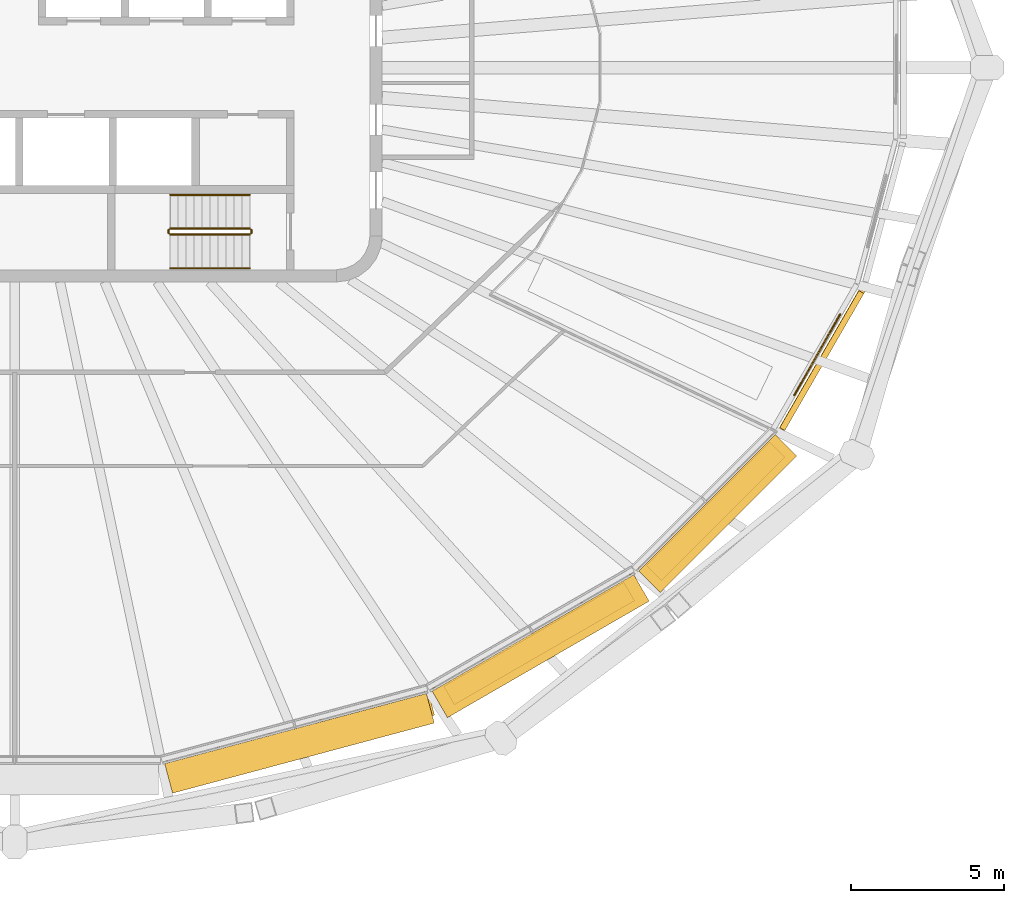
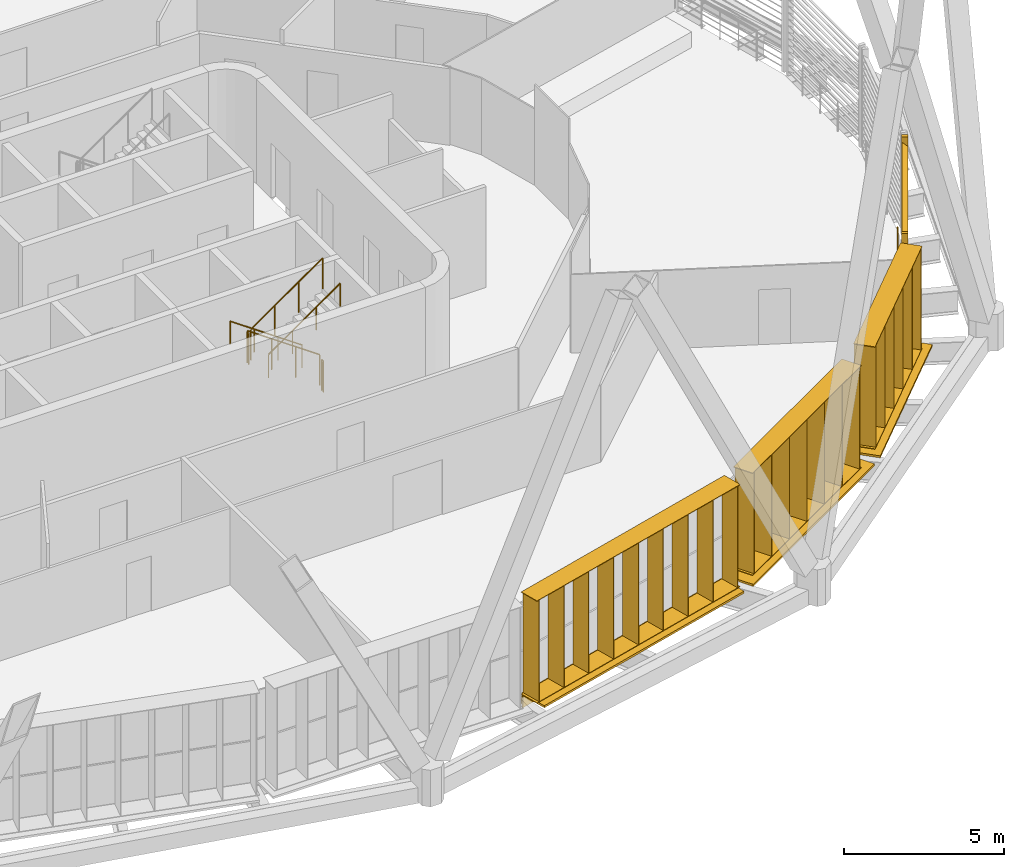
# One storey, part 20 of 22: 7 railings, 7 shading devices.
"""IFC4 building model written with IfcOpenShell, lengths in metres."""

from ifc_helpers import new_model, si_unit, direction, frame, origin, origin_2d, place, context, subcontext, project, spatial, rectangle, circle, extrude, material, type_object, element, save


model = new_model("IFC4")

# Units and contexts
model_context = context("Model", 3, precision=1e-05, world=origin(), true_north=direction((0.0, 1.0)))
body_context = subcontext(model_context, "Body", "Model", "MODEL_VIEW")
ifc_project = project(units=[si_unit("LENGTHUNIT", "METRE"), si_unit("AREAUNIT", "SQUARE_METRE"), si_unit("VOLUMEUNIT", "CUBIC_METRE"), si_unit("PLANEANGLEUNIT", "RADIAN"), si_unit("MASSUNIT", "GRAM", prefix="KILO")], contexts=[model_context])

# Site, building, storey
site_placement = place(None, origin())
site = spatial("IfcSite", under=ifc_project, at=site_placement, CompositionType="ELEMENT")
building_placement = place(site_placement, origin())
building = spatial("IfcBuilding", under=site, at=building_placement, Name="Sahrelin Media Tower", CompositionType="ELEMENT")
storey_placement = place(building_placement, frame((0.0, 0.0, 283.0)))
storey = spatial("IfcBuildingStorey", under=building, at=storey_placement, Name="L62", CompositionType="ELEMENT", Elevation=283.0)

# Shading devices
ifc_material_1 = material(Name="Champagne anodised aluminium 6063-T6", Category="aluminium")
shading_device_type_1 = type_object("IfcShadingDeviceType", Name="Fin cassette", PredefinedType="USERDEFINED", material=ifc_material_1)
placement_1 = place(storey_placement, frame((9.163330078125, -21.56640625, 0.0), z_axis=(0.0, 0.0, 1.0), x_axis=(-0.965928857556, -0.258807731996, 0.0)))
element("IfcShadingDevice", 1, at=placement_1, inside=storey, type_object=shading_device_type_1, Name="L62:FIN:L62-19", ObjectType="FIN", PredefinedType="USERDEFINED", context=body_context, shape_type="SweptSolid", body=[
    extrude(rectangle(XDim=9.0, YDim=0.699951171875, at=origin_2d()), frame((0.0, 0.419921875, 0.0)), (0.0, 0.0, 1.0), 0.02001953125),
    extrude(rectangle(XDim=9.0, YDim=0.699951171875, at=origin_2d()), frame((0.0, 0.419921875, 3.89990234375)), (0.0, 0.0, 1.0), 0.02001953125),
    extrude(rectangle(XDim=0.02001953125, YDim=0.699951171875, at=origin_2d()), frame((-4.39990234375, 0.419921875, 0.010009765625), z_axis=(0.0, 0.0, 1.0), x_axis=(1.0, 0.0, 0.0)), (0.0, 0.0, 1.0), 3.89990234375),
    extrude(rectangle(XDim=0.02001953125, YDim=0.699951171875, at=origin_2d()), frame((-3.300048828125, 0.419921875, 0.010009765625), z_axis=(0.0, 0.0, 1.0), x_axis=(1.0, 0.0, 0.0)), (0.0, 0.0, 1.0), 3.89990234375),
    extrude(rectangle(XDim=0.02001953125, YDim=0.699951171875, at=origin_2d()), frame((-2.199951171875, 0.419921875, 0.010009765625), z_axis=(0.0, 0.0, 1.0), x_axis=(1.0, 0.0, 0.0)), (0.0, 0.0, 1.0), 3.89990234375),
    extrude(rectangle(XDim=0.02001953125, YDim=0.699951171875, at=origin_2d()), frame((-1.10009765625, 0.419921875, 0.010009765625), z_axis=(0.0, 0.0, 1.0), x_axis=(1.0, 0.0, 0.0)), (0.0, 0.0, 1.0), 3.89990234375),
    extrude(rectangle(XDim=0.02001953125, YDim=0.699951171875, at=origin_2d()), frame((0.0, 0.419921875, 0.010009765625), z_axis=(0.0, 0.0, 1.0), x_axis=(1.0, 0.0, 0.0)), (0.0, 0.0, 1.0), 3.89990234375),
    extrude(rectangle(XDim=0.02001953125, YDim=0.699951171875, at=origin_2d()), frame((1.10009765625, 0.419921875, 0.010009765625), z_axis=(0.0, 0.0, 1.0), x_axis=(1.0, 0.0, 0.0)), (0.0, 0.0, 1.0), 3.89990234375),
    extrude(rectangle(XDim=0.02001953125, YDim=0.699951171875, at=origin_2d()), frame((2.199951171875, 0.419921875, 0.010009765625), z_axis=(0.0, 0.0, 1.0), x_axis=(1.0, 0.0, 0.0)), (0.0, 0.0, 1.0), 3.89990234375),
    extrude(rectangle(XDim=0.02001953125, YDim=0.699951171875, at=origin_2d()), frame((3.300048828125, 0.419921875, 0.010009765625), z_axis=(0.0, 0.0, 1.0), x_axis=(1.0, 0.0, 0.0)), (0.0, 0.0, 1.0), 3.89990234375),
    extrude(rectangle(XDim=0.02001953125, YDim=0.699951171875, at=origin_2d()), frame((4.39990234375, 0.419921875, 0.010009765625), z_axis=(0.0, 0.0, 1.0), x_axis=(1.0, 0.0, 0.0)), (0.0, 0.0, 1.0), 3.89990234375),
])
placement_2 = place(storey_placement, frame((16.9150390625, -18.443603515625, 0.0), z_axis=(0.0, 0.0, 1.0), x_axis=(-0.866019052629, -0.500011000363, 0.0)))
element("IfcShadingDevice", 2, at=placement_2, inside=storey, type_object=shading_device_type_1, Name="L62:FIN:L62-20", ObjectType="FIN", PredefinedType="USERDEFINED", context=body_context, shape_type="SweptSolid", body=[
    extrude(rectangle(XDim=6.800048828125, YDim=0.699951171875, at=origin_2d()), frame((0.0, 0.419921875, 0.0)), (0.0, 0.0, 1.0), 0.02001953125),
    extrude(rectangle(XDim=6.800048828125, YDim=0.699951171875, at=origin_2d()), frame((0.0, 0.419921875, 3.89990234375)), (0.0, 0.0, 1.0), 0.02001953125),
    extrude(rectangle(XDim=0.02001953125, YDim=0.699951171875, at=origin_2d()), frame((-3.300048828125, 0.419921875, 0.010009765625), z_axis=(0.0, 0.0, 1.0), x_axis=(1.0, 0.0, 0.0)), (0.0, 0.0, 1.0), 3.89990234375),
    extrude(rectangle(XDim=0.02001953125, YDim=0.699951171875, at=origin_2d()), frame((-2.199951171875, 0.419921875, 0.010009765625), z_axis=(0.0, 0.0, 1.0), x_axis=(1.0, 0.0, 0.0)), (0.0, 0.0, 1.0), 3.89990234375),
    extrude(rectangle(XDim=0.02001953125, YDim=0.699951171875, at=origin_2d()), frame((-1.10009765625, 0.419921875, 0.010009765625), z_axis=(0.0, 0.0, 1.0), x_axis=(1.0, 0.0, 0.0)), (0.0, 0.0, 1.0), 3.89990234375),
    extrude(rectangle(XDim=0.02001953125, YDim=0.699951171875, at=origin_2d()), frame((0.0, 0.419921875, 0.010009765625), z_axis=(0.0, 0.0, 1.0), x_axis=(1.0, 0.0, 0.0)), (0.0, 0.0, 1.0), 3.89990234375),
    extrude(rectangle(XDim=0.02001953125, YDim=0.699951171875, at=origin_2d()), frame((1.10009765625, 0.419921875, 0.010009765625), z_axis=(0.0, 0.0, 1.0), x_axis=(1.0, 0.0, 0.0)), (0.0, 0.0, 1.0), 3.89990234375),
    extrude(rectangle(XDim=0.02001953125, YDim=0.699951171875, at=origin_2d()), frame((2.199951171875, 0.419921875, 0.010009765625), z_axis=(0.0, 0.0, 1.0), x_axis=(1.0, 0.0, 0.0)), (0.0, 0.0, 1.0), 3.89990234375),
    extrude(rectangle(XDim=0.02001953125, YDim=0.699951171875, at=origin_2d()), frame((3.300048828125, 0.419921875, 0.010009765625), z_axis=(0.0, 0.0, 1.0), x_axis=(1.0, 0.0, 0.0)), (0.0, 0.0, 1.0), 3.89990234375),
])
placement_3 = place(storey_placement, frame((22.593017578125, -14.1943359375, 0.0), z_axis=(0.0, 0.0, 1.0), x_axis=(-0.707106781187, -0.707106781187, 0.0)))
element("IfcShadingDevice", 3, at=placement_3, inside=storey, type_object=shading_device_type_1, Name="L62:FIN:L62-21", ObjectType="FIN", PredefinedType="USERDEFINED", context=body_context, shape_type="SweptSolid", body=[
    extrude(rectangle(XDim=5.699951171875, YDim=0.699951171875, at=origin_2d()), frame((0.0, 0.419921875, 0.0)), (0.0, 0.0, 1.0), 0.02001953125),
    extrude(rectangle(XDim=5.699951171875, YDim=0.699951171875, at=origin_2d()), frame((0.0, 0.419921875, 3.89990234375)), (0.0, 0.0, 1.0), 0.02001953125),
    extrude(rectangle(XDim=0.02001953125, YDim=0.699951171875, at=origin_2d()), frame((-2.75, 0.419921875, 0.010009765625), z_axis=(0.0, 0.0, 1.0), x_axis=(1.0, 0.0, 0.0)), (0.0, 0.0, 1.0), 3.89990234375),
    extrude(rectangle(XDim=0.02001953125, YDim=0.699951171875, at=origin_2d()), frame((-1.64990234375, 0.419921875, 0.010009765625), z_axis=(0.0, 0.0, 1.0), x_axis=(1.0, 0.0, 0.0)), (0.0, 0.0, 1.0), 3.89990234375),
    extrude(rectangle(XDim=0.02001953125, YDim=0.699951171875, at=origin_2d()), frame((-0.550048828125, 0.419921875, 0.010009765625), z_axis=(0.0, 0.0, 1.0), x_axis=(1.0, 0.0, 0.0)), (0.0, 0.0, 1.0), 3.89990234375),
    extrude(rectangle(XDim=0.02001953125, YDim=0.699951171875, at=origin_2d()), frame((0.550048828125, 0.419921875, 0.010009765625), z_axis=(0.0, 0.0, 1.0), x_axis=(1.0, 0.0, 0.0)), (0.0, 0.0, 1.0), 3.89990234375),
    extrude(rectangle(XDim=0.02001953125, YDim=0.699951171875, at=origin_2d()), frame((1.64990234375, 0.419921875, 0.010009765625), z_axis=(0.0, 0.0, 1.0), x_axis=(1.0, 0.0, 0.0)), (0.0, 0.0, 1.0), 3.89990234375),
    extrude(rectangle(XDim=0.02001953125, YDim=0.699951171875, at=origin_2d()), frame((2.75, 0.419921875, 0.010009765625), z_axis=(0.0, 0.0, 1.0), x_axis=(1.0, 0.0, 0.0)), (0.0, 0.0, 1.0), 3.89990234375),
])
shading_device_type_2 = type_object("IfcShadingDeviceType", Name="Garden screen", PredefinedType="USERDEFINED", material=ifc_material_1)
shading_device_4_placement = place(storey_placement, frame((26.26708984375, -9.512451171875, 0.0), z_axis=(0.0, 0.0, 1.0), x_axis=(-0.500011000363, -0.866019052629, 0.0)))
element("IfcShadingDevice", 4, at=shading_device_4_placement, inside=storey, type_object=shading_device_type_2, Name="L62:SCREEN:L62-22", ObjectType="SCREEN", PredefinedType="USERDEFINED", context=body_context, shape_type="SweptSolid", body=[
    extrude(rectangle(XDim=0.1201171875, YDim=0.199951171875, at=origin_2d()), frame((2.6435546875, 0.10009765625, 0.050048828125), z_axis=(0.0, 0.0, 1.0), x_axis=(1.0, 0.0, 0.0)), (0.0, 0.0, 1.0), 3.89990234375),
    extrude(rectangle(XDim=0.1201171875, YDim=0.199951171875, at=origin_2d()), frame((-2.6435546875, 0.10009765625, 0.050048828125), z_axis=(0.0, 0.0, 1.0), x_axis=(1.0, 0.0, 0.0)), (0.0, 0.0, 1.0), 3.89990234375),
    extrude(rectangle(XDim=0.25, YDim=0.02001953125, at=origin_2d()), frame((2.58349609375, 0.10009765625, 0.14990234375), z_axis=(-1.0, 0.0, 0.0), x_axis=(0.0, -0.766044443119, 0.642787609687)), (0.0, 0.0, 1.0), 5.1669921875),
    extrude(rectangle(XDim=0.25, YDim=0.02001953125, at=origin_2d()), frame((2.58349609375, 0.10009765625, 0.39990234375), z_axis=(-1.0, 0.0, 0.0), x_axis=(0.0, -0.766044443119, 0.642787609687)), (0.0, 0.0, 1.0), 5.1669921875),
    extrude(rectangle(XDim=0.25, YDim=0.02001953125, at=origin_2d()), frame((2.58349609375, 0.10009765625, 0.64990234375), z_axis=(-1.0, 0.0, 0.0), x_axis=(0.0, -0.766044443119, 0.642787609687)), (0.0, 0.0, 1.0), 5.1669921875),
    extrude(rectangle(XDim=0.25, YDim=0.02001953125, at=origin_2d()), frame((2.58349609375, 0.10009765625, 0.89990234375), z_axis=(-1.0, 0.0, 0.0), x_axis=(0.0, -0.766044443119, 0.642787609687)), (0.0, 0.0, 1.0), 5.1669921875),
    extrude(rectangle(XDim=0.25, YDim=0.02001953125, at=origin_2d()), frame((2.58349609375, 0.10009765625, 1.14990234375), z_axis=(-1.0, 0.0, 0.0), x_axis=(0.0, -0.766044443119, 0.642787609687)), (0.0, 0.0, 1.0), 5.1669921875),
    extrude(rectangle(XDim=0.25, YDim=0.02001953125, at=origin_2d()), frame((2.58349609375, 0.10009765625, 1.39990234375), z_axis=(-1.0, 0.0, 0.0), x_axis=(0.0, -0.766044443119, 0.642787609687)), (0.0, 0.0, 1.0), 5.1669921875),
    extrude(rectangle(XDim=0.25, YDim=0.02001953125, at=origin_2d()), frame((2.58349609375, 0.10009765625, 1.64990234375), z_axis=(-1.0, 0.0, 0.0), x_axis=(0.0, -0.766044443119, 0.642787609687)), (0.0, 0.0, 1.0), 5.1669921875),
    extrude(rectangle(XDim=0.25, YDim=0.02001953125, at=origin_2d()), frame((2.58349609375, 0.10009765625, 1.89990234375), z_axis=(-1.0, 0.0, 0.0), x_axis=(0.0, -0.766044443119, 0.642787609687)), (0.0, 0.0, 1.0), 5.1669921875),
    extrude(rectangle(XDim=0.25, YDim=0.02001953125, at=origin_2d()), frame((2.58349609375, 0.10009765625, 2.14990234375), z_axis=(-1.0, 0.0, 0.0), x_axis=(0.0, -0.766044443119, 0.642787609687)), (0.0, 0.0, 1.0), 5.1669921875),
    extrude(rectangle(XDim=0.25, YDim=0.02001953125, at=origin_2d()), frame((2.58349609375, 0.10009765625, 2.39990234375), z_axis=(-1.0, 0.0, 0.0), x_axis=(0.0, -0.766044443119, 0.642787609687)), (0.0, 0.0, 1.0), 5.1669921875),
    extrude(rectangle(XDim=0.25, YDim=0.02001953125, at=origin_2d()), frame((2.58349609375, 0.10009765625, 2.64990234375), z_axis=(-1.0, 0.0, 0.0), x_axis=(0.0, -0.766044443119, 0.642787609687)), (0.0, 0.0, 1.0), 5.1669921875),
    extrude(rectangle(XDim=0.25, YDim=0.02001953125, at=origin_2d()), frame((2.58349609375, 0.10009765625, 2.89990234375), z_axis=(-1.0, 0.0, 0.0), x_axis=(0.0, -0.766044443119, 0.642787609687)), (0.0, 0.0, 1.0), 5.1669921875),
    extrude(rectangle(XDim=0.25, YDim=0.02001953125, at=origin_2d()), frame((2.58349609375, 0.10009765625, 3.14990234375), z_axis=(-1.0, 0.0, 0.0), x_axis=(0.0, -0.766044443119, 0.642787609687)), (0.0, 0.0, 1.0), 5.1669921875),
    extrude(rectangle(XDim=0.25, YDim=0.02001953125, at=origin_2d()), frame((2.58349609375, 0.10009765625, 3.39990234375), z_axis=(-1.0, 0.0, 0.0), x_axis=(0.0, -0.766044443119, 0.642787609687)), (0.0, 0.0, 1.0), 5.1669921875),
    extrude(rectangle(XDim=0.25, YDim=0.02001953125, at=origin_2d()), frame((2.58349609375, 0.10009765625, 3.64990234375), z_axis=(-1.0, 0.0, 0.0), x_axis=(0.0, -0.766044443119, 0.642787609687)), (0.0, 0.0, 1.0), 5.1669921875),
])

# Railings
ifc_material_2 = material(Name="Stainless steel 316", Category="steel")
railing_type_1 = type_object("IfcRailingType", Name="Sky garden guard", PredefinedType="GUARDRAIL", material=ifc_material_2)
railing_1_placement = place(storey_placement, frame((25.4619140625, -10.69921875, 0.0)))
element("IfcRailing", 5, at=railing_1_placement, inside=storey, type_object=railing_type_1, Name="Sky garden guard G8-1", PredefinedType="GUARDRAIL", context=body_context, shape_type="SweptSolid", body=[
    extrude(circle(Radius=0.02392578125, at=origin_2d()), frame((0.0, 0.0, 1.17578125), z_axis=(0.492017571235, 0.870585268424, 0.0), x_axis=(-0.870585268424, 0.492017571235, 0.0)), (0.0, 0.0, 1.0), 3.040771484375),
    extrude(circle(Radius=0.02099609375, at=origin_2d()), origin(), (0.0, 0.0, 1.0), 1.15185546875),
    extrude(circle(Radius=0.02099609375, at=origin_2d()), frame((0.498779296875, 0.88232421875, 0.0)), (0.0, 0.0, 1.0), 1.15185546875),
    extrude(circle(Radius=0.02099609375, at=origin_2d()), frame((0.997314453125, 1.764892578125, 0.0)), (0.0, 0.0, 1.0), 1.15185546875),
    extrude(circle(Radius=0.02099609375, at=origin_2d()), frame((1.49609375, 2.647216796875, 0.0)), (0.0, 0.0, 1.0), 1.15185546875),
])
ifc_material_3 = material(Name="Steel S355", Category="steel")
railing_type_2 = type_object("IfcRailingType", Name="Stair guard 1200", PredefinedType="GUARDRAIL", material=ifc_material_3)
railing_2_placement = place(storey_placement, frame((7.675048828125, -5.25, 0.181884765625)))
element("IfcRailing", 6, at=railing_2_placement, inside=storey, type_object=railing_type_2, Name="L62 ST2 stair guard 1", PredefinedType="GUARDRAIL", context=body_context, shape_type="SweptSolid", body=[
    extrude(circle(Radius=0.02392578125, at=origin_2d()), frame((0.0, 0.0, 1.17578125), z_axis=(-0.819521025635, 0.0, 0.573049115296), x_axis=(0.0, -1.0, 0.0)), (0.0, 0.0, 1.0), 3.172607421875),
    extrude(circle(Radius=0.02099609375, at=origin_2d()), origin(), (0.0, 0.0, 1.0), 1.15185546875),
    extrude(circle(Radius=0.02099609375, at=origin_2d()), frame((-0.86669921875, 0.0, 0.60595703125)), (0.0, 0.0, 1.0), 1.15185546875),
    extrude(circle(Radius=0.02099609375, at=origin_2d()), frame((-1.7333984375, 0.0, 1.212158203125)), (0.0, 0.0, 1.0), 1.15185546875),
    extrude(circle(Radius=0.02099609375, at=origin_2d()), frame((-2.60009765625, 0.0, 1.818115234375)), (0.0, 0.0, 1.0), 1.15185546875),
])
railing_3_placement = place(storey_placement, frame((5.02490234375, -5.300048828125, 2.0)))
element("IfcRailing", 7, at=railing_3_placement, inside=storey, type_object=railing_type_2, Name="L62 ST2 stair guard 2", PredefinedType="GUARDRAIL", context=body_context, shape_type="SweptSolid", body=[
    extrude(circle(Radius=0.02392578125, at=origin_2d()), frame((0.0, 0.0, 1.17578125), z_axis=(0.0, -1.0, 0.0), x_axis=(1.0, 0.0, 0.0)), (0.0, 0.0, 1.0), 0.099853515625),
    extrude(circle(Radius=0.02099609375, at=origin_2d()), origin(), (0.0, 0.0, 1.0), 1.15185546875),
    extrude(circle(Radius=0.02099609375, at=origin_2d()), frame((0.0, -0.099853515625, 0.0)), (0.0, 0.0, 1.0), 1.15185546875),
])
railing_4_placement = place(storey_placement, frame((5.074951171875, -5.449951171875, 2.181884765625)))
element("IfcRailing", 8, at=railing_4_placement, inside=storey, type_object=railing_type_2, Name="L62 ST2 stair guard 3", PredefinedType="GUARDRAIL", context=body_context, shape_type="SweptSolid", body=[
    extrude(circle(Radius=0.02392578125, at=origin_2d()), frame((0.0, 0.0, 1.17578125), z_axis=(0.819521025635, 0.0, 0.573049115296), x_axis=(0.0, 1.0, 0.0)), (0.0, 0.0, 1.0), 3.172607421875),
    extrude(circle(Radius=0.02099609375, at=origin_2d()), origin(), (0.0, 0.0, 1.0), 1.15185546875),
    extrude(circle(Radius=0.02099609375, at=origin_2d()), frame((0.86669921875, 0.0, 0.60595703125)), (0.0, 0.0, 1.0), 1.15185546875),
    extrude(circle(Radius=0.02099609375, at=origin_2d()), frame((1.7333984375, 0.0, 1.212158203125)), (0.0, 0.0, 1.0), 1.15185546875),
    extrude(circle(Radius=0.02099609375, at=origin_2d()), frame((2.60009765625, 0.0, 1.818115234375)), (0.0, 0.0, 1.0), 1.15185546875),
])
railing_5_placement = place(storey_placement, frame((7.72509765625, -5.300048828125, 0.0)))
element("IfcRailing", 9, at=railing_5_placement, inside=storey, type_object=railing_type_2, Name="L62 ST2 stair guard 4", PredefinedType="GUARDRAIL", context=body_context, shape_type="SweptSolid", body=[
    extrude(circle(Radius=0.02392578125, at=origin_2d()), frame((0.0, 0.0, 1.17578125), z_axis=(0.0, -1.0, 0.0), x_axis=(1.0, 0.0, 0.0)), (0.0, 0.0, 1.0), 0.099853515625),
    extrude(circle(Radius=0.02099609375, at=origin_2d()), origin(), (0.0, 0.0, 1.0), 1.15185546875),
    extrude(circle(Radius=0.02099609375, at=origin_2d()), frame((0.0, -0.099853515625, 0.0)), (0.0, 0.0, 1.0), 1.15185546875),
])
railing_type_3 = type_object("IfcRailingType", Name="Stair handrail 900", PredefinedType="HANDRAIL", material=ifc_material_3)
railing_6_placement = place(storey_placement, frame((7.675048828125, -4.14990234375, 0.181884765625)))
element("IfcRailing", 10, at=railing_6_placement, inside=storey, type_object=railing_type_3, Name="L62 ST2 stair handrail 1", PredefinedType="HANDRAIL", context=body_context, shape_type="SweptSolid", body=[
    extrude(circle(Radius=0.02392578125, at=origin_2d()), frame((0.0, 0.0, 0.8759765625), z_axis=(-0.819521025635, 0.0, 0.573049115296), x_axis=(0.0, -1.0, 0.0)), (0.0, 0.0, 1.0), 3.172607421875),
    extrude(circle(Radius=0.02099609375, at=origin_2d()), origin(), (0.0, 0.0, 1.0), 0.851806640625),
    extrude(circle(Radius=0.02099609375, at=origin_2d()), frame((-0.86669921875, 0.0, 0.60595703125)), (0.0, 0.0, 1.0), 0.851806640625),
    extrude(circle(Radius=0.02099609375, at=origin_2d()), frame((-1.7333984375, 0.0, 1.212158203125)), (0.0, 0.0, 1.0), 0.851806640625),
    extrude(circle(Radius=0.02099609375, at=origin_2d()), frame((-2.60009765625, 0.0, 1.818115234375)), (0.0, 0.0, 1.0), 0.851806640625),
])
railing_7_placement = place(storey_placement, frame((5.074951171875, -6.550048828125, 2.181884765625)))
element("IfcRailing", 11, at=railing_7_placement, inside=storey, type_object=railing_type_3, Name="L62 ST2 stair handrail 2", PredefinedType="HANDRAIL", context=body_context, shape_type="SweptSolid", body=[
    extrude(circle(Radius=0.02392578125, at=origin_2d()), frame((0.0, 0.0, 0.8759765625), z_axis=(0.819521025635, 0.0, 0.573049115296), x_axis=(0.0, 1.0, 0.0)), (0.0, 0.0, 1.0), 3.172607421875),
    extrude(circle(Radius=0.02099609375, at=origin_2d()), origin(), (0.0, 0.0, 1.0), 0.851806640625),
    extrude(circle(Radius=0.02099609375, at=origin_2d()), frame((0.86669921875, 0.0, 0.60595703125)), (0.0, 0.0, 1.0), 0.851806640625),
    extrude(circle(Radius=0.02099609375, at=origin_2d()), frame((1.7333984375, 0.0, 1.212158203125)), (0.0, 0.0, 1.0), 0.851806640625),
    extrude(circle(Radius=0.02099609375, at=origin_2d()), frame((2.60009765625, 0.0, 1.818115234375)), (0.0, 0.0, 1.0), 0.851806640625),
])

# Shading devices
shading_device_type_3 = type_object("IfcShadingDeviceType", Name="Sunshade band", PredefinedType="USERDEFINED", material=ifc_material_1)
element("IfcShadingDevice", 12, at=placement_1, inside=storey, type_object=shading_device_type_3, Name="L62:SUN:L62-19", ObjectType="SUNSHADE", PredefinedType="USERDEFINED", context=body_context, shape_type="SweptSolid", body=[
    extrude(rectangle(XDim=8.8505859375, YDim=0.050048828125, at=origin_2d()), frame((0.0, 0.044921875, -0.55126953125)), (0.0, 0.0, 1.0), 0.471435546875),
    extrude(rectangle(XDim=8.8505859375, YDim=1.0, at=origin_2d()), frame((0.0, 0.52001953125, -0.080078125)), (0.0, 0.0, 1.0), 0.080078125),
    extrude(rectangle(XDim=0.10009765625, YDim=0.074951171875, at=origin_2d()), frame((-4.3251953125, -0.017578125, -0.47021484375)), (0.0, 0.0, 1.0), 0.300048828125),
    extrude(rectangle(XDim=0.10009765625, YDim=0.074951171875, at=origin_2d()), frame((-2.59521484375, -0.017578125, -0.47021484375)), (0.0, 0.0, 1.0), 0.300048828125),
    extrude(rectangle(XDim=0.10009765625, YDim=0.074951171875, at=origin_2d()), frame((-0.864990234375, -0.017578125, -0.47021484375)), (0.0, 0.0, 1.0), 0.300048828125),
    extrude(rectangle(XDim=0.10009765625, YDim=0.074951171875, at=origin_2d()), frame((0.864990234375, -0.017578125, -0.47021484375)), (0.0, 0.0, 1.0), 0.300048828125),
    extrude(rectangle(XDim=0.10009765625, YDim=0.074951171875, at=origin_2d()), frame((2.59521484375, -0.017578125, -0.47021484375)), (0.0, 0.0, 1.0), 0.300048828125),
    extrude(rectangle(XDim=0.10009765625, YDim=0.074951171875, at=origin_2d()), frame((4.3251953125, -0.017578125, -0.47021484375)), (0.0, 0.0, 1.0), 0.300048828125),
])
element("IfcShadingDevice", 13, at=placement_2, inside=storey, type_object=shading_device_type_3, Name="L62:SUN:L62-20", ObjectType="SUNSHADE", PredefinedType="USERDEFINED", context=body_context, shape_type="SweptSolid", body=[
    extrude(rectangle(XDim=7.60693359375, YDim=0.050048828125, at=origin_2d()), frame((0.0, 0.044921875, -0.55126953125)), (0.0, 0.0, 1.0), 0.471435546875),
    extrude(rectangle(XDim=7.60693359375, YDim=1.0, at=origin_2d()), frame((0.0, 0.52001953125, -0.080078125)), (0.0, 0.0, 1.0), 0.080078125),
    extrude(rectangle(XDim=0.10009765625, YDim=0.074951171875, at=origin_2d()), frame((-3.70361328125, -0.017578125, -0.47021484375)), (0.0, 0.0, 1.0), 0.300048828125),
    extrude(rectangle(XDim=0.10009765625, YDim=0.074951171875, at=origin_2d()), frame((-1.851806640625, -0.017578125, -0.47021484375)), (0.0, 0.0, 1.0), 0.300048828125),
    extrude(rectangle(XDim=0.10009765625, YDim=0.074951171875, at=origin_2d()), frame((0.0, -0.017578125, -0.47021484375)), (0.0, 0.0, 1.0), 0.300048828125),
    extrude(rectangle(XDim=0.10009765625, YDim=0.074951171875, at=origin_2d()), frame((1.851806640625, -0.017578125, -0.47021484375)), (0.0, 0.0, 1.0), 0.300048828125),
    extrude(rectangle(XDim=0.10009765625, YDim=0.074951171875, at=origin_2d()), frame((3.70361328125, -0.017578125, -0.47021484375)), (0.0, 0.0, 1.0), 0.300048828125),
])
element("IfcShadingDevice", 14, at=placement_3, inside=storey, type_object=shading_device_type_3, Name="L62:SUN:L62-21", ObjectType="SUNSHADE", PredefinedType="USERDEFINED", context=body_context, shape_type="SweptSolid", body=[
    extrude(rectangle(XDim=6.298095703125, YDim=0.050048828125, at=origin_2d()), frame((0.0, 0.044921875, -0.55126953125)), (0.0, 0.0, 1.0), 0.471435546875),
    extrude(rectangle(XDim=6.298095703125, YDim=1.0, at=origin_2d()), frame((0.0, 0.52001953125, -0.080078125)), (0.0, 0.0, 1.0), 0.080078125),
    extrude(rectangle(XDim=0.10009765625, YDim=0.074951171875, at=origin_2d()), frame((-3.049072265625, -0.017578125, -0.47021484375)), (0.0, 0.0, 1.0), 0.300048828125),
    extrude(rectangle(XDim=0.10009765625, YDim=0.074951171875, at=origin_2d()), frame((-1.5244140625, -0.017578125, -0.47021484375)), (0.0, 0.0, 1.0), 0.300048828125),
    extrude(rectangle(XDim=0.10009765625, YDim=0.074951171875, at=origin_2d()), frame((0.0, -0.017578125, -0.47021484375)), (0.0, 0.0, 1.0), 0.300048828125),
    extrude(rectangle(XDim=0.10009765625, YDim=0.074951171875, at=origin_2d()), frame((1.5244140625, -0.017578125, -0.47021484375)), (0.0, 0.0, 1.0), 0.300048828125),
    extrude(rectangle(XDim=0.10009765625, YDim=0.074951171875, at=origin_2d()), frame((3.049072265625, -0.017578125, -0.47021484375)), (0.0, 0.0, 1.0), 0.300048828125),
])

save(model, "model.ifc")
